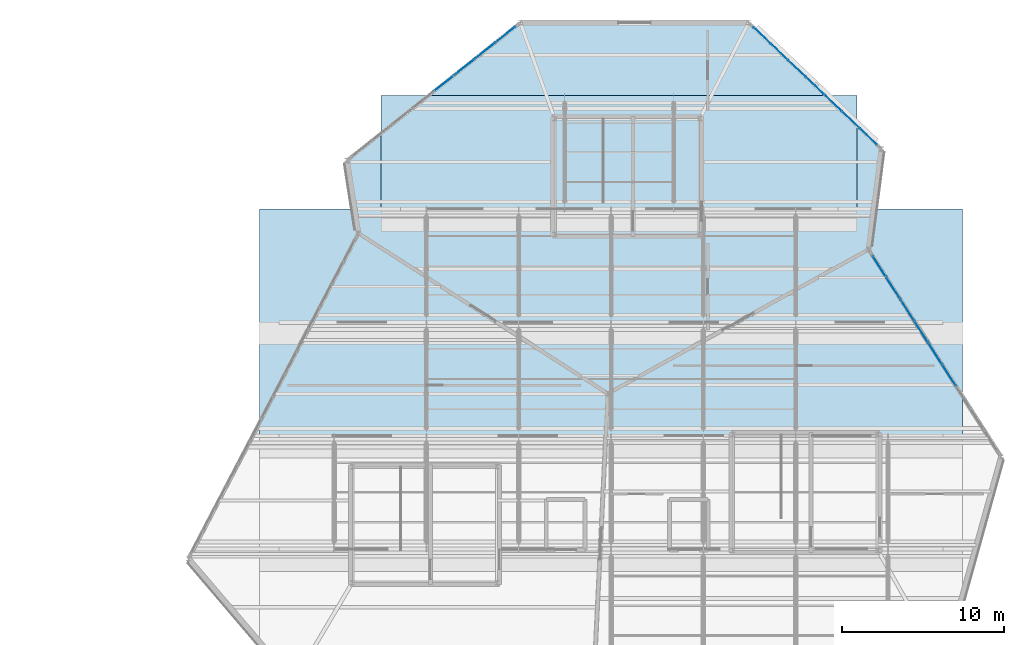
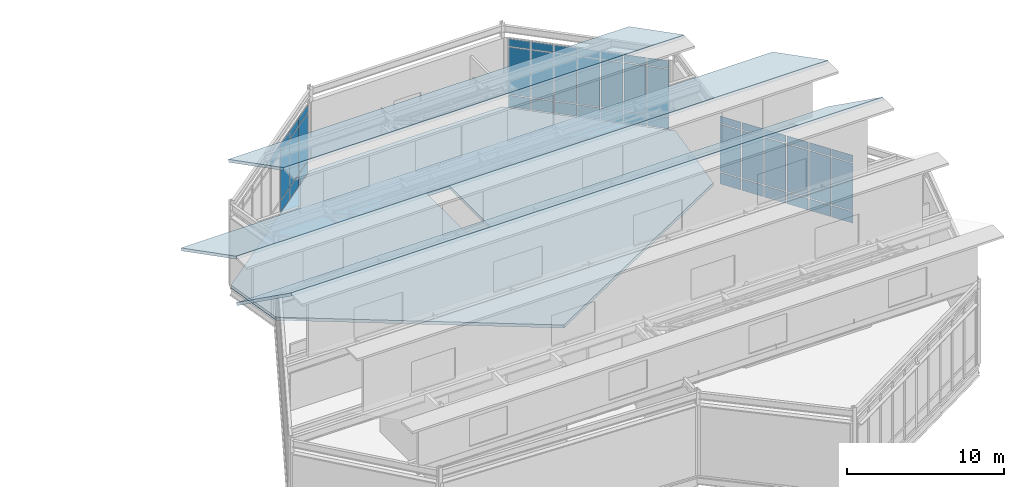
# One storey, part 44 of 55: 49 plates, 4 slabs, 3 elements without a shape of their own.
"""IFC4 building model written with IfcOpenShell, lengths in metres."""

from ifc_helpers import new_model, si_unit, direction, frame, origin, origin_2d, place, context, subcontext, project, spatial, polyline, rectangle, outline, extrude, material, layer, layer_set, type_object, element, aggregate, save


model = new_model("IFC4")

# Units and contexts
model_context = context("Model", 3, precision=1e-05, world=origin(), true_north=direction((0.0, 1.0)))
body_context = subcontext(model_context, "Body", "Model", "MODEL_VIEW")
ifc_project = project(units=[si_unit("LENGTHUNIT", "METRE"), si_unit("AREAUNIT", "SQUARE_METRE"), si_unit("VOLUMEUNIT", "CUBIC_METRE"), si_unit("PLANEANGLEUNIT", "RADIAN"), si_unit("MASSUNIT", "GRAM", prefix="KILO")], contexts=[model_context])

# Site, building, storey
site_placement = place(None, origin())
site = spatial("IfcSite", under=ifc_project, at=site_placement, CompositionType="ELEMENT")
building_placement = place(site_placement, origin())
building = spatial("IfcBuilding", under=site, at=building_placement, Name="Tameran Prism Museum", CompositionType="ELEMENT")
storey_placement = place(building_placement, frame((0.0, 0.0, 28.800048828125)))
storey = spatial("IfcBuildingStorey", under=building, at=storey_placement, Name="L05", CompositionType="ELEMENT", Elevation=28.800048828125)

# Curtain wall, plates
ifc_material_1 = material(Name="Anodised Aluminium 6063-T6 and Cyclone Solar Glass", Category="aluminium")
curtain_wall_type_1 = type_object("IfcCurtainWallType", Name="CW-FAC-1444x542", PredefinedType="USERDEFINED", material=ifc_material_1)
curtain_wall_1_placement = place(storey_placement, origin())
curtain_wall_1 = element("IfcCurtainWall", 1, at=curtain_wall_1_placement, inside=storey, type_object=curtain_wall_type_1, Name="Unitised Curtain Wall CW-166", ObjectType="UNITISED CURTAIN WALL", PredefinedType="USERDEFINED")
ifc_material_2 = material(Name="Cyclone Laminated Solar Glass", Category="glass")
ifc_layer_1 = layer(ifc_material_2, 0.031982421875)
ifc_layer_set_1 = layer_set([ifc_layer_1])
plate_type = type_object("IfcPlateType", Name="CW-PNL-G32", PredefinedType="CURTAIN_PANEL", material=ifc_layer_set_1)
plate_1_placement = place(storey_placement, frame((135.564453125, 96.962646484375, 0.080078125), z_axis=(0.0, 0.0, 1.0), x_axis=(0.539426990683, -0.842032375697, 0.0)))
plate_1 = element("IfcPlate", 2, at=plate_1_placement, type_object=plate_type, Name="CW-166 panel 1.1", PredefinedType="CURTAIN_PANEL", context=body_context, shape_type="SweptSolid", body=[
    extrude(rectangle(XDim=1.484619140625, YDim=0.031982421875, at=origin_2d()), origin(), (0.0, 0.0, 1.0), 0.8798828125),
])
plate_2_placement = place(storey_placement, frame((135.564453125, 96.962646484375, 1.0400390625), z_axis=(0.0, 0.0, 1.0), x_axis=(0.539426990683, -0.842032375697, 0.0)))
plate_2 = element("IfcPlate", 3, at=plate_2_placement, type_object=plate_type, Name="CW-166 panel 1.2", PredefinedType="CURTAIN_PANEL", context=body_context, shape_type="SweptSolid", body=[
    extrude(rectangle(XDim=1.484619140625, YDim=0.031982421875, at=origin_2d()), origin(), (0.0, 0.0, 1.0), 3.659912109375),
])
plate_3_placement = place(storey_placement, frame((135.564453125, 96.962646484375, 4.780029296875), z_axis=(0.0, 0.0, 1.0), x_axis=(0.539426990683, -0.842032375697, 0.0)))
plate_3 = element("IfcPlate", 4, at=plate_3_placement, type_object=plate_type, Name="CW-166 panel 1.3", PredefinedType="CURTAIN_PANEL", context=body_context, shape_type="SweptSolid", body=[
    extrude(rectangle(XDim=1.484619140625, YDim=0.031982421875, at=origin_2d()), origin(), (0.0, 0.0, 1.0), 0.56005859375),
])
plate_4_placement = place(storey_placement, frame((136.41943359375, 95.62841796875, 0.080078125), z_axis=(0.0, 0.0, 1.0), x_axis=(0.539426990683, -0.842032375697, 0.0)))
plate_4 = element("IfcPlate", 5, at=plate_4_placement, type_object=plate_type, Name="CW-166 panel 2.1", PredefinedType="CURTAIN_PANEL", context=body_context, shape_type="SweptSolid", body=[
    extrude(rectangle(XDim=1.524658203125, YDim=0.031982421875, at=origin_2d()), origin(), (0.0, 0.0, 1.0), 0.8798828125),
])
plate_5_placement = place(storey_placement, frame((136.41943359375, 95.62841796875, 1.0400390625), z_axis=(0.0, 0.0, 1.0), x_axis=(0.539426990683, -0.842032375697, 0.0)))
plate_5 = element("IfcPlate", 6, at=plate_5_placement, type_object=plate_type, Name="CW-166 panel 2.2", PredefinedType="CURTAIN_PANEL", context=body_context, shape_type="SweptSolid", body=[
    extrude(rectangle(XDim=1.524658203125, YDim=0.031982421875, at=origin_2d()), origin(), (0.0, 0.0, 1.0), 3.659912109375),
])
plate_6_placement = place(storey_placement, frame((136.41943359375, 95.62841796875, 4.780029296875), z_axis=(0.0, 0.0, 1.0), x_axis=(0.539426990683, -0.842032375697, 0.0)))
plate_6 = element("IfcPlate", 7, at=plate_6_placement, type_object=plate_type, Name="CW-166 panel 2.3", PredefinedType="CURTAIN_PANEL", context=body_context, shape_type="SweptSolid", body=[
    extrude(rectangle(XDim=1.524658203125, YDim=0.031982421875, at=origin_2d()), origin(), (0.0, 0.0, 1.0), 0.56005859375),
])
plate_7_placement = place(storey_placement, frame((137.284912109375, 94.27734375, 0.080078125), z_axis=(0.0, 0.0, 1.0), x_axis=(0.539426990683, -0.842032375697, 0.0)))
plate_7 = element("IfcPlate", 8, at=plate_7_placement, type_object=plate_type, Name="CW-166 panel 3.1", PredefinedType="CURTAIN_PANEL", context=body_context, shape_type="SweptSolid", body=[
    extrude(rectangle(XDim=1.524658203125, YDim=0.031982421875, at=origin_2d()), origin(), (0.0, 0.0, 1.0), 0.8798828125),
])
plate_8_placement = place(storey_placement, frame((137.284912109375, 94.27734375, 1.0400390625), z_axis=(0.0, 0.0, 1.0), x_axis=(0.539426990683, -0.842032375697, 0.0)))
plate_8 = element("IfcPlate", 9, at=plate_8_placement, type_object=plate_type, Name="CW-166 panel 3.2", PredefinedType="CURTAIN_PANEL", context=body_context, shape_type="SweptSolid", body=[
    extrude(rectangle(XDim=1.524658203125, YDim=0.031982421875, at=origin_2d()), origin(), (0.0, 0.0, 1.0), 3.659912109375),
])
plate_9_placement = place(storey_placement, frame((137.284912109375, 94.27734375, 4.780029296875), z_axis=(0.0, 0.0, 1.0), x_axis=(0.539426990683, -0.842032375697, 0.0)))
plate_9 = element("IfcPlate", 10, at=plate_9_placement, type_object=plate_type, Name="CW-166 panel 3.3", PredefinedType="CURTAIN_PANEL", context=body_context, shape_type="SweptSolid", body=[
    extrude(rectangle(XDim=1.524658203125, YDim=0.031982421875, at=origin_2d()), origin(), (0.0, 0.0, 1.0), 0.56005859375),
])
plate_10_placement = place(storey_placement, frame((138.150390625, 92.926025390625, 0.080078125), z_axis=(0.0, 0.0, 1.0), x_axis=(0.539426990683, -0.842032375697, 0.0)))
plate_10 = element("IfcPlate", 11, at=plate_10_placement, type_object=plate_type, Name="CW-166 panel 4.1", PredefinedType="CURTAIN_PANEL", context=body_context, shape_type="SweptSolid", body=[
    extrude(rectangle(XDim=1.524658203125, YDim=0.031982421875, at=origin_2d()), origin(), (0.0, 0.0, 1.0), 0.8798828125),
])
plate_11_placement = place(storey_placement, frame((138.150390625, 92.926025390625, 1.0400390625), z_axis=(0.0, 0.0, 1.0), x_axis=(0.539426990683, -0.842032375697, 0.0)))
plate_11 = element("IfcPlate", 12, at=plate_11_placement, type_object=plate_type, Name="CW-166 panel 4.2", PredefinedType="CURTAIN_PANEL", context=body_context, shape_type="SweptSolid", body=[
    extrude(rectangle(XDim=1.524658203125, YDim=0.031982421875, at=origin_2d()), origin(), (0.0, 0.0, 1.0), 3.659912109375),
])
plate_12_placement = place(storey_placement, frame((138.150390625, 92.926025390625, 4.780029296875), z_axis=(0.0, 0.0, 1.0), x_axis=(0.539426990683, -0.842032375697, 0.0)))
plate_12 = element("IfcPlate", 13, at=plate_12_placement, type_object=plate_type, Name="CW-166 panel 4.3", PredefinedType="CURTAIN_PANEL", context=body_context, shape_type="SweptSolid", body=[
    extrude(rectangle(XDim=1.524658203125, YDim=0.031982421875, at=origin_2d()), origin(), (0.0, 0.0, 1.0), 0.56005859375),
])
plate_13_placement = place(storey_placement, frame((139.01611328125, 91.574951171875, 0.080078125), z_axis=(0.0, 0.0, 1.0), x_axis=(0.539426990683, -0.842032375697, 0.0)))
plate_13 = element("IfcPlate", 14, at=plate_13_placement, type_object=plate_type, Name="CW-166 panel 5.1", PredefinedType="CURTAIN_PANEL", context=body_context, shape_type="SweptSolid", body=[
    extrude(rectangle(XDim=1.524658203125, YDim=0.031982421875, at=origin_2d()), origin(), (0.0, 0.0, 1.0), 0.8798828125),
])
plate_14_placement = place(storey_placement, frame((139.01611328125, 91.574951171875, 1.0400390625), z_axis=(0.0, 0.0, 1.0), x_axis=(0.539426990683, -0.842032375697, 0.0)))
plate_14 = element("IfcPlate", 15, at=plate_14_placement, type_object=plate_type, Name="CW-166 panel 5.2", PredefinedType="CURTAIN_PANEL", context=body_context, shape_type="SweptSolid", body=[
    extrude(rectangle(XDim=1.524658203125, YDim=0.031982421875, at=origin_2d()), origin(), (0.0, 0.0, 1.0), 3.659912109375),
])
plate_15_placement = place(storey_placement, frame((139.01611328125, 91.574951171875, 4.780029296875), z_axis=(0.0, 0.0, 1.0), x_axis=(0.539426990683, -0.842032375697, 0.0)))
plate_15 = element("IfcPlate", 16, at=plate_15_placement, type_object=plate_type, Name="CW-166 panel 5.3", PredefinedType="CURTAIN_PANEL", context=body_context, shape_type="SweptSolid", body=[
    extrude(rectangle(XDim=1.524658203125, YDim=0.031982421875, at=origin_2d()), origin(), (0.0, 0.0, 1.0), 0.56005859375),
])
plate_16_placement = place(storey_placement, frame((139.881591796875, 90.223876953125, 0.080078125), z_axis=(0.0, 0.0, 1.0), x_axis=(0.539426990683, -0.842032375697, 0.0)))
plate_16 = element("IfcPlate", 17, at=plate_16_placement, type_object=plate_type, Name="CW-166 panel 6.1", PredefinedType="CURTAIN_PANEL", context=body_context, shape_type="SweptSolid", body=[
    extrude(rectangle(XDim=1.524658203125, YDim=0.031982421875, at=origin_2d()), origin(), (0.0, 0.0, 1.0), 0.8798828125),
])
plate_17_placement = place(storey_placement, frame((139.881591796875, 90.223876953125, 1.0400390625), z_axis=(0.0, 0.0, 1.0), x_axis=(0.539426990683, -0.842032375697, 0.0)))
plate_17 = element("IfcPlate", 18, at=plate_17_placement, type_object=plate_type, Name="CW-166 panel 6.2", PredefinedType="CURTAIN_PANEL", context=body_context, shape_type="SweptSolid", body=[
    extrude(rectangle(XDim=1.524658203125, YDim=0.031982421875, at=origin_2d()), origin(), (0.0, 0.0, 1.0), 3.659912109375),
])
plate_18_placement = place(storey_placement, frame((139.881591796875, 90.223876953125, 4.780029296875), z_axis=(0.0, 0.0, 1.0), x_axis=(0.539426990683, -0.842032375697, 0.0)))
plate_18 = element("IfcPlate", 19, at=plate_18_placement, type_object=plate_type, Name="CW-166 panel 6.3", PredefinedType="CURTAIN_PANEL", context=body_context, shape_type="SweptSolid", body=[
    extrude(rectangle(XDim=1.524658203125, YDim=0.031982421875, at=origin_2d()), origin(), (0.0, 0.0, 1.0), 0.56005859375),
])
aggregate(curtain_wall_1, [plate_1, plate_2, plate_3, plate_4, plate_5, plate_6, plate_7, plate_8, plate_9, plate_10, plate_11, plate_12, plate_13, plate_14, plate_15, plate_16, plate_17, plate_18])

ifc_material_3 = material(Name="Anodised Aluminium 6063-T6 and Cyclone Solar Glass", Category="aluminium")
curtain_wall_type_2 = type_object("IfcCurtainWallType", Name="CW-FAC-1062x542", PredefinedType="USERDEFINED", material=ifc_material_3)
curtain_wall_2_placement = place(storey_placement, origin())
curtain_wall_2 = element("IfcCurtainWall", 20, at=curtain_wall_2_placement, inside=storey, type_object=curtain_wall_type_2, Name="Unitised Curtain Wall CW-167", ObjectType="UNITISED CURTAIN WALL", PredefinedType="USERDEFINED")
plate_19_placement = place(storey_placement, frame((128.315185546875, 111.22509765625, 0.06494140625), z_axis=(0.0, 0.0, 1.0), x_axis=(0.724500698692, -0.689274065662, 0.0)))
plate_19 = element("IfcPlate", 21, at=plate_19_placement, type_object=plate_type, Name="CW-167 panel 1.1", PredefinedType="CURTAIN_PANEL", context=body_context, shape_type="SweptSolid", body=[
    extrude(rectangle(XDim=1.419189453125, YDim=0.031982421875, at=origin_2d()), origin(), (0.0, 0.0, 1.0), 0.902587890625),
])
plate_20_placement = place(storey_placement, frame((128.315185546875, 111.22509765625, 1.0322265625), z_axis=(0.0, 0.0, 1.0), x_axis=(0.724500698692, -0.689274065662, 0.0)))
plate_20 = element("IfcPlate", 22, at=plate_20_placement, type_object=plate_type, Name="CW-167 panel 1.2", PredefinedType="CURTAIN_PANEL", context=body_context, shape_type="SweptSolid", body=[
    extrude(rectangle(XDim=1.419189453125, YDim=0.031982421875, at=origin_2d()), origin(), (0.0, 0.0, 1.0), 3.675048828125),
])
plate_21_placement = place(storey_placement, frame((128.315185546875, 111.22509765625, 4.7724609375), z_axis=(0.0, 0.0, 1.0), x_axis=(0.724500698692, -0.689274065662, 0.0)))
plate_21 = element("IfcPlate", 23, at=plate_21_placement, type_object=plate_type, Name="CW-167 panel 1.3", PredefinedType="CURTAIN_PANEL", context=body_context, shape_type="SweptSolid", body=[
    extrude(rectangle(XDim=1.419189453125, YDim=0.031982421875, at=origin_2d()), origin(), (0.0, 0.0, 1.0), 0.58251953125),
])
plate_22_placement = place(storey_placement, frame((129.40234375, 110.19091796875, 0.06494140625), z_axis=(0.0, 0.0, 1.0), x_axis=(0.724500698692, -0.689274065662, 0.0)))
plate_22 = element("IfcPlate", 24, at=plate_22_placement, type_object=plate_type, Name="CW-167 panel 2.1", PredefinedType="CURTAIN_PANEL", context=body_context, shape_type="SweptSolid", body=[
    extrude(rectangle(XDim=1.45166015625, YDim=0.031982421875, at=origin_2d()), origin(), (0.0, 0.0, 1.0), 0.902587890625),
])
plate_23_placement = place(storey_placement, frame((129.40234375, 110.19091796875, 1.0322265625), z_axis=(0.0, 0.0, 1.0), x_axis=(0.724500698692, -0.689274065662, 0.0)))
plate_23 = element("IfcPlate", 25, at=plate_23_placement, type_object=plate_type, Name="CW-167 panel 2.2", PredefinedType="CURTAIN_PANEL", context=body_context, shape_type="SweptSolid", body=[
    extrude(rectangle(XDim=1.45166015625, YDim=0.031982421875, at=origin_2d()), origin(), (0.0, 0.0, 1.0), 3.675048828125),
])
plate_24_placement = place(storey_placement, frame((129.40234375, 110.19091796875, 4.7724609375), z_axis=(0.0, 0.0, 1.0), x_axis=(0.724500698692, -0.689274065662, 0.0)))
plate_24 = element("IfcPlate", 26, at=plate_24_placement, type_object=plate_type, Name="CW-167 panel 2.3", PredefinedType="CURTAIN_PANEL", context=body_context, shape_type="SweptSolid", body=[
    extrude(rectangle(XDim=1.45166015625, YDim=0.031982421875, at=origin_2d()), origin(), (0.0, 0.0, 1.0), 0.58251953125),
])
plate_25_placement = place(storey_placement, frame((130.501220703125, 109.1455078125, 0.06494140625), z_axis=(0.0, 0.0, 1.0), x_axis=(0.724500698692, -0.689274065662, 0.0)))
plate_25 = element("IfcPlate", 27, at=plate_25_placement, type_object=plate_type, Name="CW-167 panel 3.1", PredefinedType="CURTAIN_PANEL", context=body_context, shape_type="SweptSolid", body=[
    extrude(rectangle(XDim=1.45166015625, YDim=0.031982421875, at=origin_2d()), origin(), (0.0, 0.0, 1.0), 0.902587890625),
])
plate_26_placement = place(storey_placement, frame((130.501220703125, 109.1455078125, 1.0322265625), z_axis=(0.0, 0.0, 1.0), x_axis=(0.724500698692, -0.689274065662, 0.0)))
plate_26 = element("IfcPlate", 28, at=plate_26_placement, type_object=plate_type, Name="CW-167 panel 3.2", PredefinedType="CURTAIN_PANEL", context=body_context, shape_type="SweptSolid", body=[
    extrude(rectangle(XDim=1.45166015625, YDim=0.031982421875, at=origin_2d()), origin(), (0.0, 0.0, 1.0), 3.675048828125),
])
plate_27_placement = place(storey_placement, frame((130.501220703125, 109.1455078125, 4.7724609375), z_axis=(0.0, 0.0, 1.0), x_axis=(0.724500698692, -0.689274065662, 0.0)))
plate_27 = element("IfcPlate", 29, at=plate_27_placement, type_object=plate_type, Name="CW-167 panel 3.3", PredefinedType="CURTAIN_PANEL", context=body_context, shape_type="SweptSolid", body=[
    extrude(rectangle(XDim=1.45166015625, YDim=0.031982421875, at=origin_2d()), origin(), (0.0, 0.0, 1.0), 0.58251953125),
])
plate_28_placement = place(storey_placement, frame((131.60009765625, 108.10009765625, 0.06494140625), z_axis=(0.0, 0.0, 1.0), x_axis=(0.724500698692, -0.689274065662, 0.0)))
plate_28 = element("IfcPlate", 30, at=plate_28_placement, type_object=plate_type, Name="CW-167 panel 4.1", PredefinedType="CURTAIN_PANEL", context=body_context, shape_type="SweptSolid", body=[
    extrude(rectangle(XDim=1.45166015625, YDim=0.031982421875, at=origin_2d()), origin(), (0.0, 0.0, 1.0), 0.902587890625),
])
plate_29_placement = place(storey_placement, frame((131.60009765625, 108.10009765625, 1.0322265625), z_axis=(0.0, 0.0, 1.0), x_axis=(0.724500698692, -0.689274065662, 0.0)))
plate_29 = element("IfcPlate", 31, at=plate_29_placement, type_object=plate_type, Name="CW-167 panel 4.2", PredefinedType="CURTAIN_PANEL", context=body_context, shape_type="SweptSolid", body=[
    extrude(rectangle(XDim=1.45166015625, YDim=0.031982421875, at=origin_2d()), origin(), (0.0, 0.0, 1.0), 3.675048828125),
])
plate_30_placement = place(storey_placement, frame((131.60009765625, 108.10009765625, 4.7724609375), z_axis=(0.0, 0.0, 1.0), x_axis=(0.724500698692, -0.689274065662, 0.0)))
plate_30 = element("IfcPlate", 32, at=plate_30_placement, type_object=plate_type, Name="CW-167 panel 4.3", PredefinedType="CURTAIN_PANEL", context=body_context, shape_type="SweptSolid", body=[
    extrude(rectangle(XDim=1.45166015625, YDim=0.031982421875, at=origin_2d()), origin(), (0.0, 0.0, 1.0), 0.58251953125),
])
plate_31_placement = place(storey_placement, frame((132.698974609375, 107.0546875, 0.06494140625), z_axis=(0.0, 0.0, 1.0), x_axis=(0.724500698692, -0.689274065662, 0.0)))
plate_31 = element("IfcPlate", 33, at=plate_31_placement, type_object=plate_type, Name="CW-167 panel 5.1", PredefinedType="CURTAIN_PANEL", context=body_context, shape_type="SweptSolid", body=[
    extrude(rectangle(XDim=1.45166015625, YDim=0.031982421875, at=origin_2d()), origin(), (0.0, 0.0, 1.0), 0.902587890625),
])
plate_32_placement = place(storey_placement, frame((132.698974609375, 107.0546875, 1.0322265625), z_axis=(0.0, 0.0, 1.0), x_axis=(0.724500698692, -0.689274065662, 0.0)))
plate_32 = element("IfcPlate", 34, at=plate_32_placement, type_object=plate_type, Name="CW-167 panel 5.2", PredefinedType="CURTAIN_PANEL", context=body_context, shape_type="SweptSolid", body=[
    extrude(rectangle(XDim=1.45166015625, YDim=0.031982421875, at=origin_2d()), origin(), (0.0, 0.0, 1.0), 3.675048828125),
])
plate_33_placement = place(storey_placement, frame((132.698974609375, 107.0546875, 4.7724609375), z_axis=(0.0, 0.0, 1.0), x_axis=(0.724500698692, -0.689274065662, 0.0)))
plate_33 = element("IfcPlate", 35, at=plate_33_placement, type_object=plate_type, Name="CW-167 panel 5.3", PredefinedType="CURTAIN_PANEL", context=body_context, shape_type="SweptSolid", body=[
    extrude(rectangle(XDim=1.45166015625, YDim=0.031982421875, at=origin_2d()), origin(), (0.0, 0.0, 1.0), 0.58251953125),
])
plate_34_placement = place(storey_placement, frame((133.797607421875, 106.009033203125, 0.06494140625), z_axis=(0.0, 0.0, 1.0), x_axis=(0.724500698692, -0.689274065662, 0.0)))
plate_34 = element("IfcPlate", 36, at=plate_34_placement, type_object=plate_type, Name="CW-167 panel 6.1", PredefinedType="CURTAIN_PANEL", context=body_context, shape_type="SweptSolid", body=[
    extrude(rectangle(XDim=1.45166015625, YDim=0.031982421875, at=origin_2d()), origin(), (0.0, 0.0, 1.0), 0.902587890625),
])
plate_35_placement = place(storey_placement, frame((133.797607421875, 106.009033203125, 1.0322265625), z_axis=(0.0, 0.0, 1.0), x_axis=(0.724500698692, -0.689274065662, 0.0)))
plate_35 = element("IfcPlate", 37, at=plate_35_placement, type_object=plate_type, Name="CW-167 panel 6.2", PredefinedType="CURTAIN_PANEL", context=body_context, shape_type="SweptSolid", body=[
    extrude(rectangle(XDim=1.45166015625, YDim=0.031982421875, at=origin_2d()), origin(), (0.0, 0.0, 1.0), 3.675048828125),
])
plate_36_placement = place(storey_placement, frame((133.797607421875, 106.009033203125, 4.7724609375), z_axis=(0.0, 0.0, 1.0), x_axis=(0.724500698692, -0.689274065662, 0.0)))
plate_36 = element("IfcPlate", 38, at=plate_36_placement, type_object=plate_type, Name="CW-167 panel 6.3", PredefinedType="CURTAIN_PANEL", context=body_context, shape_type="SweptSolid", body=[
    extrude(rectangle(XDim=1.45166015625, YDim=0.031982421875, at=origin_2d()), origin(), (0.0, 0.0, 1.0), 0.58251953125),
])
plate_37_placement = place(storey_placement, frame((134.884765625, 104.974853515625, 0.06494140625), z_axis=(0.0, 0.0, 1.0), x_axis=(0.724500698692, -0.689274065662, 0.0)))
plate_37 = element("IfcPlate", 39, at=plate_37_placement, type_object=plate_type, Name="CW-167 panel 7.1", PredefinedType="CURTAIN_PANEL", context=body_context, shape_type="SweptSolid", body=[
    extrude(rectangle(XDim=1.419189453125, YDim=0.031982421875, at=origin_2d()), origin(), (0.0, 0.0, 1.0), 0.902587890625),
])
plate_38_placement = place(storey_placement, frame((134.884765625, 104.974853515625, 1.0322265625), z_axis=(0.0, 0.0, 1.0), x_axis=(0.724500698692, -0.689274065662, 0.0)))
plate_38 = element("IfcPlate", 40, at=plate_38_placement, type_object=plate_type, Name="CW-167 panel 7.2", PredefinedType="CURTAIN_PANEL", context=body_context, shape_type="SweptSolid", body=[
    extrude(rectangle(XDim=1.419189453125, YDim=0.031982421875, at=origin_2d()), origin(), (0.0, 0.0, 1.0), 3.675048828125),
])
plate_39_placement = place(storey_placement, frame((134.884765625, 104.974853515625, 4.7724609375), z_axis=(0.0, 0.0, 1.0), x_axis=(0.724500698692, -0.689274065662, 0.0)))
plate_39 = element("IfcPlate", 41, at=plate_39_placement, type_object=plate_type, Name="CW-167 panel 7.3", PredefinedType="CURTAIN_PANEL", context=body_context, shape_type="SweptSolid", body=[
    extrude(rectangle(XDim=1.419189453125, YDim=0.031982421875, at=origin_2d()), origin(), (0.0, 0.0, 1.0), 0.58251953125),
])
aggregate(curtain_wall_2, [plate_19, plate_20, plate_21, plate_22, plate_23, plate_24, plate_25, plate_26, plate_27, plate_28, plate_29, plate_30, plate_31, plate_32, plate_33, plate_34, plate_35, plate_36, plate_37, plate_38, plate_39])

ifc_material_4 = material(Name="Anodised Aluminium 6063-T6 and Cyclone Solar Glass", Category="aluminium")
curtain_wall_type_3 = type_object("IfcCurtainWallType", Name="CW-FAC-1296x542", PredefinedType="USERDEFINED", material=ifc_material_4)
curtain_wall_3_placement = place(storey_placement, origin())
curtain_wall_3 = element("IfcCurtainWall", 42, at=curtain_wall_3_placement, inside=storey, type_object=curtain_wall_type_3, Name="Unitised Curtain Wall CW-168", ObjectType="UNITISED CURTAIN WALL", PredefinedType="USERDEFINED")
plate_40_placement = place(storey_placement, frame((108.6845703125, 108.25390625, 4.77490234375), z_axis=(0.0, 0.0, 1.0), x_axis=(0.783031296178, 0.621982306183, 0.0)))
plate_40 = element("IfcPlate", 43, at=plate_40_placement, type_object=plate_type, Name="CW-168 panel 5.3", PredefinedType="CURTAIN_PANEL", context=body_context, shape_type="SweptSolid", body=[
    extrude(rectangle(XDim=1.550537109375, YDim=0.031982421875, at=origin_2d()), origin(), (0.0, 0.0, 1.0), 0.574951171875),
])
plate_41_placement = place(storey_placement, frame((109.95361328125, 109.261962890625, 0.06982421875), z_axis=(0.0, 0.0, 1.0), x_axis=(0.783031296178, 0.621982306183, 0.0)))
plate_41 = element("IfcPlate", 44, at=plate_41_placement, type_object=plate_type, Name="CW-168 panel 6.1", PredefinedType="CURTAIN_PANEL", context=body_context, shape_type="SweptSolid", body=[
    extrude(rectangle(XDim=1.550537109375, YDim=0.031982421875, at=origin_2d()), origin(), (0.0, 0.0, 1.0), 0.89501953125),
])
plate_42_placement = place(storey_placement, frame((109.95361328125, 109.261962890625, 1.034912109375), z_axis=(0.0, 0.0, 1.0), x_axis=(0.783031296178, 0.621982306183, 0.0)))
plate_42 = element("IfcPlate", 45, at=plate_42_placement, type_object=plate_type, Name="CW-168 panel 6.2", PredefinedType="CURTAIN_PANEL", context=body_context, shape_type="SweptSolid", body=[
    extrude(rectangle(XDim=1.550537109375, YDim=0.031982421875, at=origin_2d()), origin(), (0.0, 0.0, 1.0), 3.669921875),
])
plate_43_placement = place(storey_placement, frame((109.95361328125, 109.261962890625, 4.77490234375), z_axis=(0.0, 0.0, 1.0), x_axis=(0.783031296178, 0.621982306183, 0.0)))
plate_43 = element("IfcPlate", 46, at=plate_43_placement, type_object=plate_type, Name="CW-168 panel 6.3", PredefinedType="CURTAIN_PANEL", context=body_context, shape_type="SweptSolid", body=[
    extrude(rectangle(XDim=1.550537109375, YDim=0.031982421875, at=origin_2d()), origin(), (0.0, 0.0, 1.0), 0.574951171875),
])
plate_44_placement = place(storey_placement, frame((111.222412109375, 110.27001953125, 0.06982421875), z_axis=(0.0, 0.0, 1.0), x_axis=(0.783031296178, 0.621982306183, 0.0)))
plate_44 = element("IfcPlate", 47, at=plate_44_placement, type_object=plate_type, Name="CW-168 panel 7.1", PredefinedType="CURTAIN_PANEL", context=body_context, shape_type="SweptSolid", body=[
    extrude(rectangle(XDim=1.550537109375, YDim=0.031982421875, at=origin_2d()), origin(), (0.0, 0.0, 1.0), 0.89501953125),
])
plate_45_placement = place(storey_placement, frame((111.222412109375, 110.27001953125, 1.034912109375), z_axis=(0.0, 0.0, 1.0), x_axis=(0.783031296178, 0.621982306183, 0.0)))
plate_45 = element("IfcPlate", 48, at=plate_45_placement, type_object=plate_type, Name="CW-168 panel 7.2", PredefinedType="CURTAIN_PANEL", context=body_context, shape_type="SweptSolid", body=[
    extrude(rectangle(XDim=1.550537109375, YDim=0.031982421875, at=origin_2d()), origin(), (0.0, 0.0, 1.0), 3.669921875),
])
plate_46_placement = place(storey_placement, frame((111.222412109375, 110.27001953125, 4.77490234375), z_axis=(0.0, 0.0, 1.0), x_axis=(0.783031296178, 0.621982306183, 0.0)))
plate_46 = element("IfcPlate", 49, at=plate_46_placement, type_object=plate_type, Name="CW-168 panel 7.3", PredefinedType="CURTAIN_PANEL", context=body_context, shape_type="SweptSolid", body=[
    extrude(rectangle(XDim=1.550537109375, YDim=0.031982421875, at=origin_2d()), origin(), (0.0, 0.0, 1.0), 0.574951171875),
])
plate_47_placement = place(storey_placement, frame((112.477783203125, 111.26708984375, 0.06982421875), z_axis=(0.0, 0.0, 1.0), x_axis=(0.783031296178, 0.621982306183, 0.0)))
plate_47 = element("IfcPlate", 50, at=plate_47_placement, type_object=plate_type, Name="CW-168 panel 8.1", PredefinedType="CURTAIN_PANEL", context=body_context, shape_type="SweptSolid", body=[
    extrude(rectangle(XDim=1.515625, YDim=0.031982421875, at=origin_2d()), origin(), (0.0, 0.0, 1.0), 0.89501953125),
])
plate_48_placement = place(storey_placement, frame((112.477783203125, 111.26708984375, 1.034912109375), z_axis=(0.0, 0.0, 1.0), x_axis=(0.783031296178, 0.621982306183, 0.0)))
plate_48 = element("IfcPlate", 51, at=plate_48_placement, type_object=plate_type, Name="CW-168 panel 8.2", PredefinedType="CURTAIN_PANEL", context=body_context, shape_type="SweptSolid", body=[
    extrude(rectangle(XDim=1.515625, YDim=0.031982421875, at=origin_2d()), origin(), (0.0, 0.0, 1.0), 3.669921875),
])
plate_49_placement = place(storey_placement, frame((112.477783203125, 111.26708984375, 4.77490234375), z_axis=(0.0, 0.0, 1.0), x_axis=(0.783031296178, 0.621982306183, 0.0)))
plate_49 = element("IfcPlate", 52, at=plate_49_placement, type_object=plate_type, Name="CW-168 panel 8.3", PredefinedType="CURTAIN_PANEL", context=body_context, shape_type="SweptSolid", body=[
    extrude(rectangle(XDim=1.515625, YDim=0.031982421875, at=origin_2d()), origin(), (0.0, 0.0, 1.0), 0.574951171875),
])
aggregate(curtain_wall_3, [plate_40, plate_41, plate_42, plate_43, plate_44, plate_45, plate_46, plate_47, plate_48, plate_49])

# Slabs
ifc_material_5 = material(Name="Concrete N40 (40 MPa)", Category="concrete")
ifc_layer_2 = layer(ifc_material_5, 0.239990234375)
ifc_layer_set_2 = layer_set([ifc_layer_2])
slab_type_1 = type_object("IfcSlabType", Name="SL-FLR-240", PredefinedType="FLOOR", material=ifc_layer_set_2)
slab_1_placement = place(storey_placement, frame((0.0, 0.0, -0.239990234375)))
element("IfcSlab", 53, at=slab_1_placement, inside=storey, type_object=slab_type_1, Name="Floor Slab FS-P03-L05", PredefinedType="FLOOR", context=body_context, shape_type="SweptSolid", body=[
    extrude(outline(polyline([(102.699951171875, 103.5), (113.39990234375, 112.0), (127.5, 112.0), (135.699951171875, 104.199951171875), (134.89990234375, 98.0), (118.800048828125, 89.10009765625), (103.39990234375, 99.0), (102.699951171875, 103.5)]), holes=[polyline([(120.219970703125, 106.050048828125), (118.550048828125, 106.050048828125), (118.550048828125, 100.93994140625), (120.219970703125, 100.93994140625), (120.219970703125, 106.050048828125)])]), origin(), (0.0, 0.0, 1.0), 0.239990234375),
])
ifc_material_6 = material(Name="Insulated Aluminium Roof Deck", Category="aluminium")
ifc_layer_3 = layer(ifc_material_6, 0.205078125)
ifc_layer_set_3 = layer_set([ifc_layer_3])
slab_type_2 = type_object("IfcSlabType", Name="SL-SAW-205", PredefinedType="ROOF", material=ifc_layer_set_3)
slab_2_placement = place(storey_placement, frame((97.300048828125, 86.5, 11.599853515625), z_axis=(0.0, 0.581238193719, 0.813733471207), x_axis=(1.0, 0.0, 0.0)))
element("IfcSlab", 54, at=slab_2_placement, inside=storey, type_object=slab_type_2, Name="Sawtooth Sloped Roof SAW-03", PredefinedType="ROOF", context=body_context, shape_type="SweptSolid", body=[
    extrude(outline(polyline([(0.0, 0.0), (43.39990234375, 0.0), (43.39990234375, 8.602325267042627), (0.0, 8.602325267042627), (0.0, 0.0)])), origin(), (0.0, 0.0, -1.0), 0.205078125),
])
slab_3_placement = place(storey_placement, frame((97.300048828125, 93.5, 10.199951171875), z_axis=(0.0, 0.457357823893, 0.889282756453), x_axis=(1.0, 0.0, 0.0)))
element("IfcSlab", 55, at=slab_3_placement, inside=storey, type_object=slab_type_2, Name="Sawtooth Sloped Roof SAW-04", PredefinedType="ROOF", context=body_context, shape_type="SweptSolid", body=[
    extrude(outline(polyline([(0.0, 0.0), (43.39990234375, 0.0), (43.39990234375, 7.871512125032695), (0.0, 7.871512125032695), (0.0, 0.0)])), origin(), (0.0, 0.0, -1.0), 0.205078125),
])
slab_4_placement = place(storey_placement, frame((104.800048828125, 100.5, 10.199951171875), z_axis=(0.0, 0.457357823893, 0.889282756453), x_axis=(1.0, 0.0, 0.0)))
element("IfcSlab", 56, at=slab_4_placement, inside=storey, type_object=slab_type_2, Name="Sawtooth Sloped Roof SAW-05", PredefinedType="ROOF", context=body_context, shape_type="SweptSolid", body=[
    extrude(outline(polyline([(0.0, 0.0), (29.39990234375, 0.0), (29.39990234375, 7.871512125032695), (0.0, 7.871512125032695), (0.0, 0.0)])), origin(), (0.0, 0.0, -1.0), 0.205078125),
])

save(model, "model.ifc")
